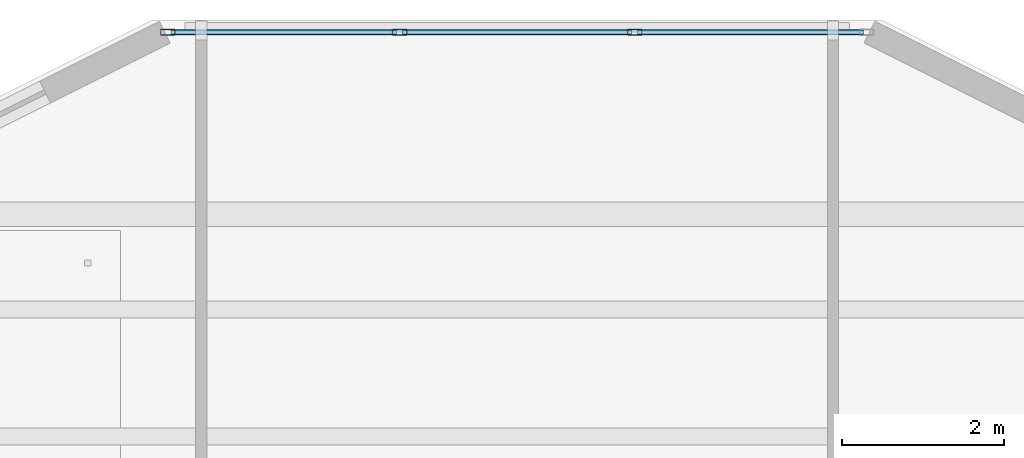
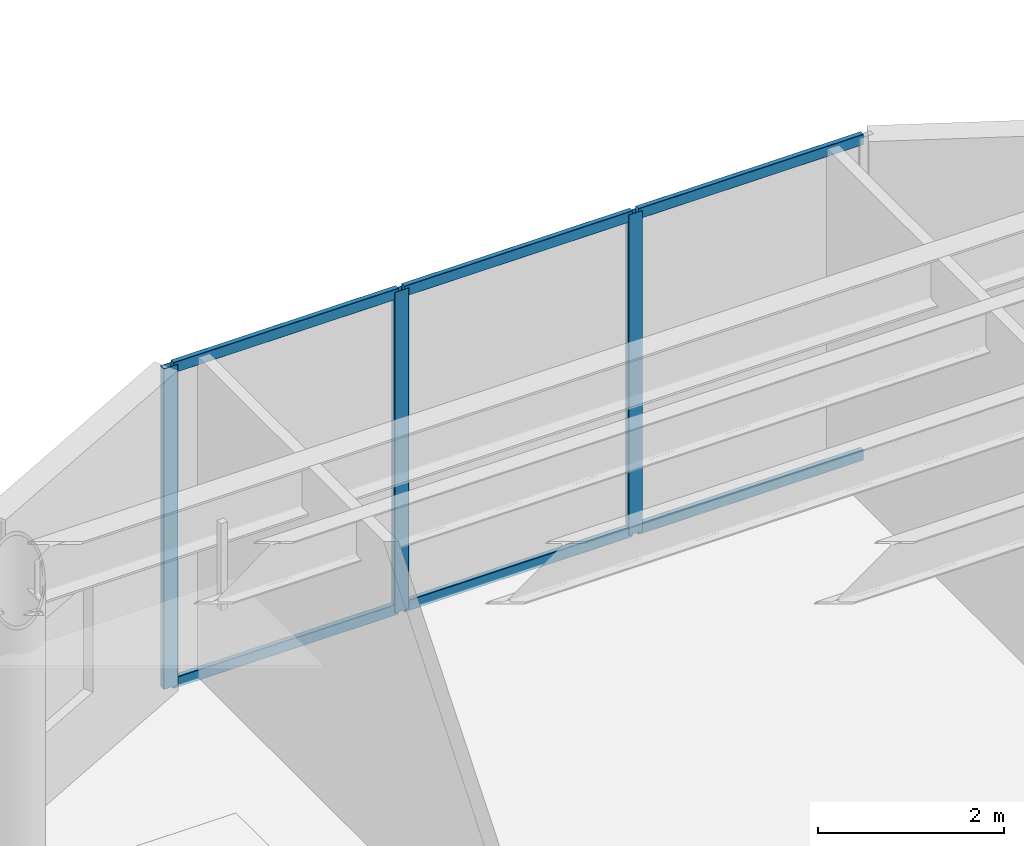
# One storey, part 23 of 39: 9 members, 1 element without a shape of its own.
"""IFC4 building model written with IfcOpenShell, lengths in metres."""

from ifc_helpers import new_model, si_unit, direction, frame, origin, origin_2d, place, context, subcontext, project, spatial, hollow_rectangle, extrude, material, layer, layer_set, material_profile, profile_set, type_object, element, aggregate, save


model = new_model("IFC4")

# Units and contexts
model_context = context("Model", 3, precision=1e-05, world=origin(), true_north=direction((0.0, 1.0)))
body_context = subcontext(model_context, "Body", "Model", "MODEL_VIEW")
ifc_project = project(units=[si_unit("LENGTHUNIT", "METRE"), si_unit("AREAUNIT", "SQUARE_METRE"), si_unit("VOLUMEUNIT", "CUBIC_METRE"), si_unit("PLANEANGLEUNIT", "RADIAN"), si_unit("MASSUNIT", "GRAM", prefix="KILO")], contexts=[model_context])

# Site, building, storey
site_placement = place(None, origin())
site = spatial("IfcSite", under=ifc_project, at=site_placement, CompositionType="ELEMENT")
building_placement = place(site_placement, origin())
building = spatial("IfcBuilding", under=site, at=building_placement, Name="Tarnavaz Court Tower", CompositionType="ELEMENT")
storey_placement = place(building_placement, frame((0.0, 0.0, 68.699951171875)))
storey = spatial("IfcBuildingStorey", under=building, at=storey_placement, Name="L18", CompositionType="ELEMENT", Elevation=68.699951171875)

# Curtain wall, members
ifc_material_1 = material(Name="Anodised Aluminium 6063-T6 and Solar Low-E Glazing", Category="aluminium")
ifc_layer = layer(ifc_material_1, 0.179931640625)
ifc_layer_set = layer_set([ifc_layer], Name="Anodised Aluminium 6063-T6 and Solar Low-E Glazing")
curtain_wall_type = type_object("IfcCurtainWallType", Name="CW-SYS-02", PredefinedType="NOTDEFINED", material=ifc_layer_set)
curtain_wall_placement = place(storey_placement, origin())
curtain_wall = element("IfcCurtainWall", 1, at=curtain_wall_placement, inside=storey, type_object=curtain_wall_type, Name="L18 Iwan Prow Curtain Wall 7", PredefinedType="NOTDEFINED")
ifc_material_2 = material(Name="Anodised Aluminium 6063-T6", Category="aluminium")
ifc_material_profile_1 = material_profile(ifc_material_2, hollow_rectangle(XDim=0.074951171875, YDim=0.179931640625, WallThickness=0.0048828125, InnerFilletRadius=0.0048828125, OuterFilletRadius=0.010009765625, at=origin_2d()), Name="ALU RHS 180X75X5")
ifc_profile_set_1 = profile_set([ifc_material_profile_1], Name="Anodised Aluminium 6063-T6")
member_type_1 = type_object("IfcMemberType", Name="CW-MUL-180", PredefinedType="MULLION", material=ifc_profile_set_1)
member_1_placement = place(storey_placement, frame((-4.3125, 25.050048828125, 0.0), z_axis=(0.0, 0.0, 1.0), x_axis=(0.0, 1.0, 0.0)))
member_1 = element("IfcMember", 2, at=member_1_placement, type_object=member_type_1, Name="CW mullion 1", PredefinedType="MULLION", context=body_context, shape_type="SweptSolid", body=[
    extrude(hollow_rectangle(XDim=0.074951171875, YDim=0.179931640625, WallThickness=0.0048828125, InnerFilletRadius=0.0048828125, OuterFilletRadius=0.010009765625, at=origin_2d()), origin(), (0.0, 0.0, 1.0), 4.199951171875),
])
member_2_placement = place(storey_placement, frame((-1.449951171875, 25.050048828125, 0.0), z_axis=(0.0, 0.0, 1.0), x_axis=(0.0, 1.0, 0.0)))
member_2 = element("IfcMember", 3, at=member_2_placement, type_object=member_type_1, Name="CW mullion 2", PredefinedType="MULLION", context=body_context, shape_type="SweptSolid", body=[
    extrude(hollow_rectangle(XDim=0.074951171875, YDim=0.179931640625, WallThickness=0.0048828125, InnerFilletRadius=0.0048828125, OuterFilletRadius=0.010009765625, at=origin_2d()), origin(), (0.0, 0.0, 1.0), 4.199951171875),
])
member_3_placement = place(storey_placement, frame((1.449951171875, 25.050048828125, 0.0), z_axis=(0.0, 0.0, 1.0), x_axis=(0.0, 1.0, 0.0)))
member_3 = element("IfcMember", 4, at=member_3_placement, type_object=member_type_1, Name="CW mullion 3", PredefinedType="MULLION", context=body_context, shape_type="SweptSolid", body=[
    extrude(hollow_rectangle(XDim=0.074951171875, YDim=0.179931640625, WallThickness=0.0048828125, InnerFilletRadius=0.0048828125, OuterFilletRadius=0.010009765625, at=origin_2d()), origin(), (0.0, 0.0, 1.0), 4.199951171875),
])
ifc_material_profile_2 = material_profile(ifc_material_2, hollow_rectangle(XDim=0.06494140625, YDim=0.139892578125, WallThickness=0.00390625, InnerFilletRadius=0.00390625, OuterFilletRadius=0.008056640625, at=origin_2d()), Name="ALU RHS 140X65X4")
ifc_profile_set_2 = profile_set([ifc_material_profile_2], Name="Anodised Aluminium 6063-T6")
member_type_2 = type_object("IfcMemberType", Name="CW-TRN-140", PredefinedType="USERDEFINED", material=ifc_profile_set_2)
member_4_placement = place(storey_placement, frame((-4.27490234375, 25.050048828125, 0.032470703125), z_axis=(1.0, 0.0, 0.0), x_axis=(0.0, 1.0, 0.0)))
member_4 = element("IfcMember", 5, at=member_4_placement, type_object=member_type_2, Name="CW transom 1.1", ObjectType="TRANSOM", PredefinedType="USERDEFINED", context=body_context, shape_type="SweptSolid", body=[
    extrude(hollow_rectangle(XDim=0.06494140625, YDim=0.139892578125, WallThickness=0.00390625, InnerFilletRadius=0.00390625, OuterFilletRadius=0.008056640625, at=origin_2d()), origin(), (0.0, 0.0, 1.0), 2.787353515625),
])
member_5_placement = place(storey_placement, frame((-4.27490234375, 25.050048828125, 4.16748046875), z_axis=(1.0, 0.0, 0.0), x_axis=(0.0, 1.0, 0.0)))
member_5 = element("IfcMember", 6, at=member_5_placement, type_object=member_type_2, Name="CW transom 1.2", ObjectType="TRANSOM", PredefinedType="USERDEFINED", context=body_context, shape_type="SweptSolid", body=[
    extrude(hollow_rectangle(XDim=0.06494140625, YDim=0.139892578125, WallThickness=0.00390625, InnerFilletRadius=0.00390625, OuterFilletRadius=0.008056640625, at=origin_2d()), origin(), (0.0, 0.0, 1.0), 2.787353515625),
])
member_6_placement = place(storey_placement, frame((-1.41259765625, 25.050048828125, 0.032470703125), z_axis=(1.0, 0.0, 0.0), x_axis=(0.0, 1.0, 0.0)))
member_6 = element("IfcMember", 7, at=member_6_placement, type_object=member_type_2, Name="CW transom 2.1", ObjectType="TRANSOM", PredefinedType="USERDEFINED", context=body_context, shape_type="SweptSolid", body=[
    extrude(hollow_rectangle(XDim=0.06494140625, YDim=0.139892578125, WallThickness=0.00390625, InnerFilletRadius=0.00390625, OuterFilletRadius=0.008056640625, at=origin_2d()), origin(), (0.0, 0.0, 1.0), 2.8251953125),
])
member_7_placement = place(storey_placement, frame((-1.41259765625, 25.050048828125, 4.16748046875), z_axis=(1.0, 0.0, 0.0), x_axis=(0.0, 1.0, 0.0)))
member_7 = element("IfcMember", 8, at=member_7_placement, type_object=member_type_2, Name="CW transom 2.2", ObjectType="TRANSOM", PredefinedType="USERDEFINED", context=body_context, shape_type="SweptSolid", body=[
    extrude(hollow_rectangle(XDim=0.06494140625, YDim=0.139892578125, WallThickness=0.00390625, InnerFilletRadius=0.00390625, OuterFilletRadius=0.008056640625, at=origin_2d()), origin(), (0.0, 0.0, 1.0), 2.8251953125),
])
member_8_placement = place(storey_placement, frame((1.487548828125, 25.050048828125, 0.032470703125), z_axis=(1.0, 0.0, 0.0), x_axis=(0.0, 1.0, 0.0)))
member_8 = element("IfcMember", 9, at=member_8_placement, type_object=member_type_2, Name="CW transom 3.1", ObjectType="TRANSOM", PredefinedType="USERDEFINED", context=body_context, shape_type="SweptSolid", body=[
    extrude(hollow_rectangle(XDim=0.06494140625, YDim=0.139892578125, WallThickness=0.00390625, InnerFilletRadius=0.00390625, OuterFilletRadius=0.008056640625, at=origin_2d()), origin(), (0.0, 0.0, 1.0), 2.787353515625),
])
member_9_placement = place(storey_placement, frame((1.487548828125, 25.050048828125, 4.16748046875), z_axis=(1.0, 0.0, 0.0), x_axis=(0.0, 1.0, 0.0)))
member_9 = element("IfcMember", 10, at=member_9_placement, type_object=member_type_2, Name="CW transom 3.2", ObjectType="TRANSOM", PredefinedType="USERDEFINED", context=body_context, shape_type="SweptSolid", body=[
    extrude(hollow_rectangle(XDim=0.06494140625, YDim=0.139892578125, WallThickness=0.00390625, InnerFilletRadius=0.00390625, OuterFilletRadius=0.008056640625, at=origin_2d()), origin(), (0.0, 0.0, 1.0), 2.787353515625),
])
aggregate(curtain_wall, [member_1, member_2, member_3, member_4, member_5, member_6, member_7, member_8, member_9])

save(model, "model.ifc")
